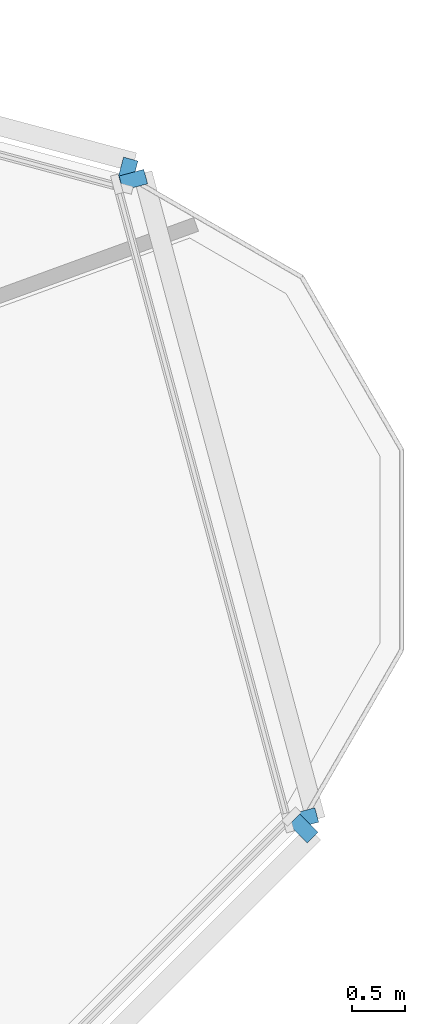
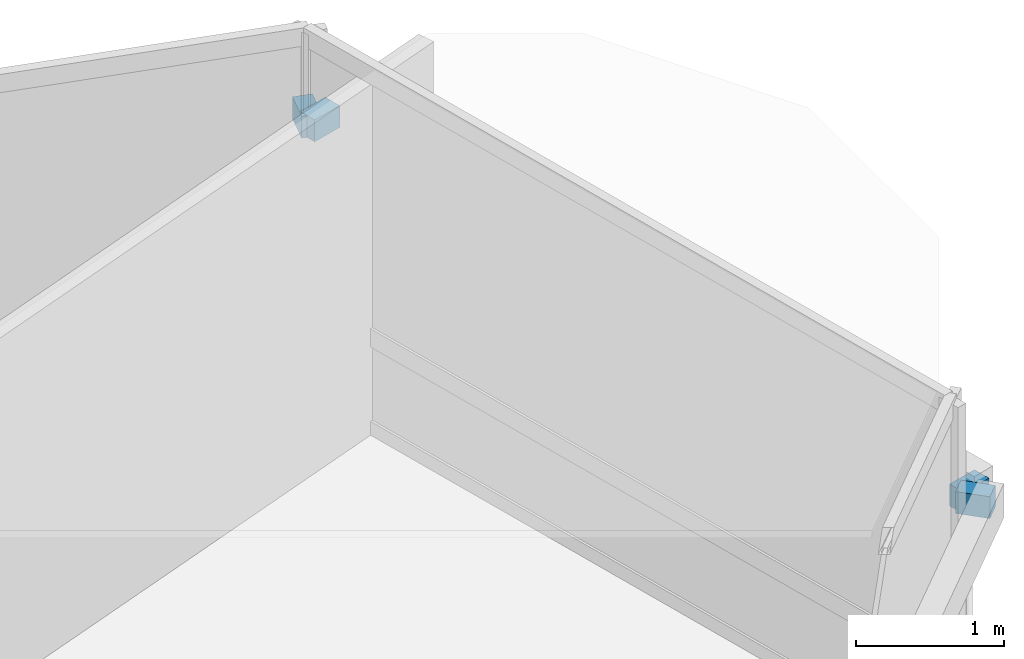
# One storey, part 10 of 13: 4 discrete accessories.
"""IFC4 building model written with IfcOpenShell, lengths in metres."""

from ifc_helpers import new_model, si_unit, direction, frame, origin, origin_2d, place, context, subcontext, project, spatial, rectangle, extrude, material, type_object, element, save


model = new_model("IFC4")

# Units and contexts
model_context = context("Model", 3, precision=1e-05, world=origin(), true_north=direction((0.0, 1.0)))
body_context = subcontext(model_context, "Body", "Model", "MODEL_VIEW")
ifc_project = project(units=[si_unit("LENGTHUNIT", "METRE"), si_unit("AREAUNIT", "SQUARE_METRE"), si_unit("VOLUMEUNIT", "CUBIC_METRE"), si_unit("PLANEANGLEUNIT", "RADIAN"), si_unit("MASSUNIT", "GRAM", prefix="KILO")], contexts=[model_context])

# Site, building, storey
site_placement = place(None, origin())
site = spatial("IfcSite", under=ifc_project, at=site_placement, CompositionType="ELEMENT")
building_placement = place(site_placement, origin())
building = spatial("IfcBuilding", under=site, at=building_placement, Name="Terralouvre Media Tower", CompositionType="ELEMENT")
storey_placement = place(building_placement, frame((0.0, 0.0, 202.699951171875)))
storey = spatial("IfcBuildingStorey", under=building, at=storey_placement, Name="L52", CompositionType="ELEMENT", Elevation=202.699951171875)

# Discrete accessories
ifc_material = material(Name="Anodised extruded aluminium 6063-T6", Category="aluminium")
discrete_accessory_type = type_object("IfcDiscreteAccessoryType", Name="Mullion Stand-Off Baguette Fixing Bracket BK-01", PredefinedType="BRACKET", material=ifc_material)
for number, where, z_axis, x_axis, name in (
    (1, (28.41552734375, 4.31298828125, 2.07421875), (0.0, 0.0, 1.0), (0.707106781187, 0.707106781187, 0.0), "CW-L52-F0 Baguette Outrigger Bracket 1.06"),
    (2, (26.764892578125, 10.472412109375, 2.07421875), (0.0, 0.0, 1.0), (-0.96592582942, 0.25881903342, 0.0), "CW-L52-F1 Baguette Outrigger Bracket 1.01"),
    (3, (28.42333984375, 4.4091796875, 2.07421875), (0.0, 0.0, 1.0), (-0.258818728144, 0.965925911218, 0.0), "CW-L52-C1 Baguette Outrigger Bracket 1.01"),
    (4, (26.81982421875, 10.39306640625, 2.07421875), (0.0, 0.0, 1.0), (-0.258818728144, 0.965925911218, 0.0), "CW-L52-C1 Baguette Outrigger Bracket 1.02"),
):
    element("IfcDiscreteAccessory", number, at=place(storey_placement, frame(where, z_axis=z_axis, x_axis=x_axis)), inside=storey, type_object=discrete_accessory_type, Name=name, PredefinedType="BRACKET", context=body_context, shape_type="SweptSolid", body=[
        extrude(rectangle(XDim=0.139892578125, YDim=0.239990234375, at=origin_2d()), origin(), (0.0, 0.0, 1.0), 0.179931640625),
    ])

save(model, "model.ifc")
